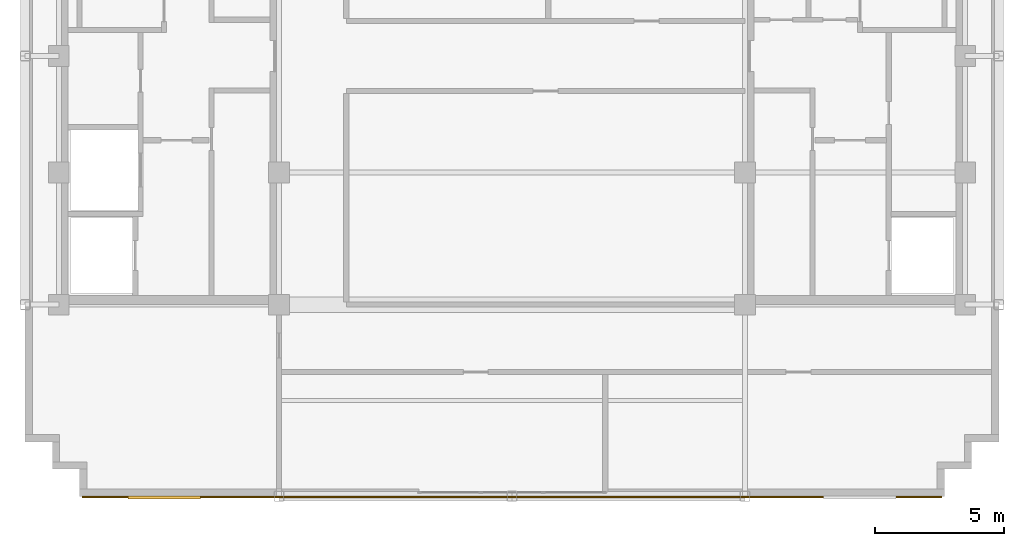
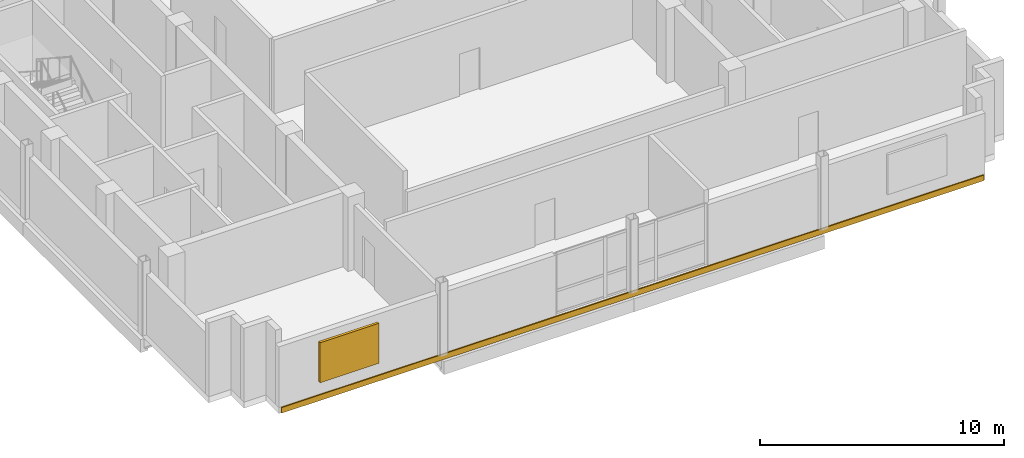
# One storey, part 7 of 10: 1 covering, 1 shading device.
"""IFC4 building model written with IfcOpenShell, lengths in metres."""

from ifc_helpers import new_model, si_unit, direction, frame, origin, origin_2d, place, context, subcontext, project, spatial, rectangle, extrude, source, transform, mapped, material, layer, layer_set, type_object, type_shapes, element, save


model = new_model("IFC4")

# Units and contexts
model_context = context("Model", 3, precision=1e-05, world=origin(), true_north=direction((0.0, 1.0)))
body_context = subcontext(model_context, "Body", "Model", "MODEL_VIEW")
ifc_project = project(units=[si_unit("LENGTHUNIT", "METRE"), si_unit("AREAUNIT", "SQUARE_METRE"), si_unit("VOLUMEUNIT", "CUBIC_METRE"), si_unit("PLANEANGLEUNIT", "RADIAN"), si_unit("MASSUNIT", "GRAM", prefix="KILO")], contexts=[model_context])

# Site, building, storey
site_placement = place(None, origin())
site = spatial("IfcSite", under=ifc_project, at=site_placement, CompositionType="ELEMENT")
building_placement = place(site_placement, origin())
building = spatial("IfcBuilding", under=site, at=building_placement, Name="Nuvemarco Arch Tower", CompositionType="ELEMENT")
storey_placement = place(building_placement, frame((0.0, 0.0, 299.14990234375)))
storey = spatial("IfcBuildingStorey", under=building, at=storey_placement, Name="L79", CompositionType="ELEMENT", Elevation=299.14990234375)

# Shading device
ifc_material_1 = material(Name="Anodised aluminium 6063-T6", Category="aluminium")
shading_device_type = type_object("IfcShadingDeviceType", Name="SHD-LOUVRE-PLANT", PredefinedType="JALOUSIE", material=ifc_material_1)
shared_shape_1 = source(origin(), body_context, "Body", "SweptSolid", [
    extrude(rectangle(XDim=2.800048828125, YDim=0.1201171875, at=origin_2d()), origin(), (0.0, 0.0, 1.0), 2.0),
])
type_shapes(shading_device_type, [shared_shape_1])
shading_device_placement = place(storey_placement, frame((-13.425048828125, -17.054931640625, 0.650146484375), z_axis=(0.0, 0.0, 1.0), x_axis=(1.0, 0.0, 0.0)))
element("IfcShadingDevice", 1, at=shading_device_placement, inside=storey, type_object=shading_device_type, Name="L79 acoustic plant louvre panel 1", PredefinedType="JALOUSIE", context=body_context, shape_type="MappedRepresentation", body=[
    mapped(shared_shape_1, transform((0.0, 0.0, 0.0), scale=1.0)),
])

# Covering
ifc_material_2 = material(Name="Precast concrete C45/55", Category="concrete")
ifc_layer = layer(ifc_material_2, 0.06005859375, Name="COV-SPANDREL-CLAD")
ifc_layer_set = layer_set([ifc_layer], Name="Precast concrete C45/55")
covering_type = type_object("IfcCoveringType", Name="COV-SPANDREL-CLAD", PredefinedType="CLADDING", material=ifc_layer_set)
shared_shape_2 = source(origin(), body_context, "Body", "SweptSolid", [
    extrude(rectangle(XDim=33.199951171875, YDim=0.06005859375, at=origin_2d()), origin(), (0.0, 0.0, 1.0), 0.280029296875),
])
type_shapes(covering_type, [shared_shape_2])
covering_placement = place(storey_placement, frame((0.0, -17.029052734375, -0.27978515625), z_axis=(0.0, 0.0, 1.0), x_axis=(1.0, 0.0, 0.0)))
element("IfcCovering", 2, at=covering_placement, inside=storey, type_object=covering_type, Name="L79 precast spandrel edge cladding south", PredefinedType="CLADDING", context=body_context, shape_type="MappedRepresentation", body=[
    mapped(shared_shape_2, transform((0.0, 0.0, 0.0), scale=1.0)),
])

save(model, "model.ifc")
